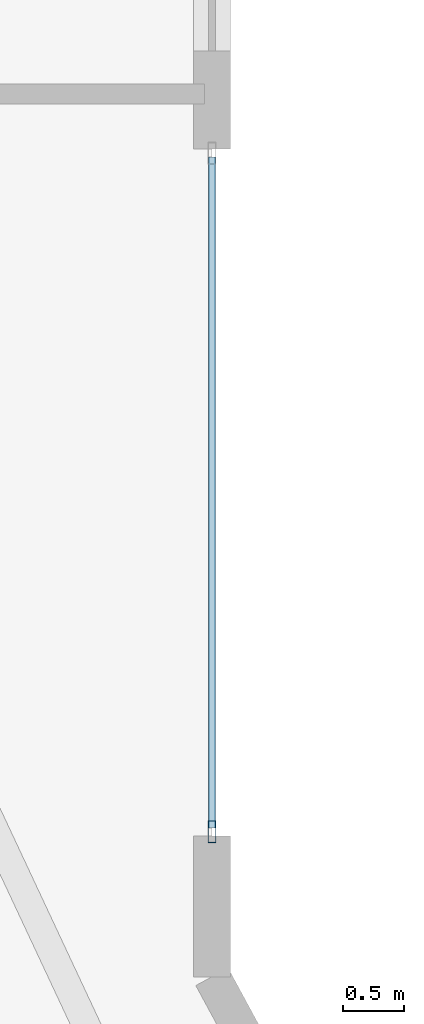
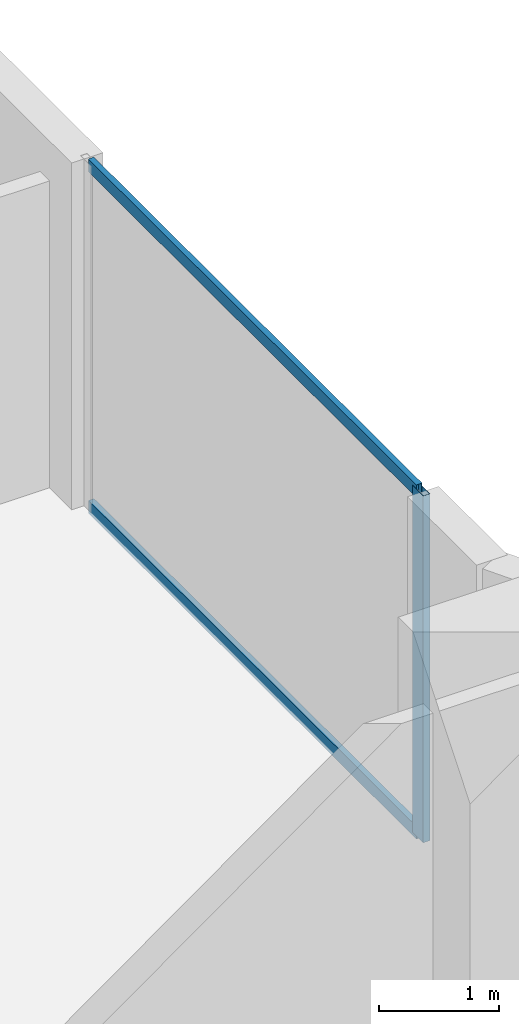
# One storey, part 14 of 32: 3 members, 1 element without a shape of its own.
"""IFC4 building model written with IfcOpenShell, lengths in metres."""

from ifc_helpers import new_model, si_unit, direction, frame, origin, origin_2d, place, context, subcontext, project, spatial, hollow_rectangle, extrude, material, layer, layer_set, material_profile, profile_set, type_object, element, aggregate, save


model = new_model("IFC4")

# Units and contexts
model_context = context("Model", 3, precision=1e-05, world=origin(), true_north=direction((0.0, 1.0)))
body_context = subcontext(model_context, "Body", "Model", "MODEL_VIEW")
ifc_project = project(units=[si_unit("LENGTHUNIT", "METRE"), si_unit("AREAUNIT", "SQUARE_METRE"), si_unit("VOLUMEUNIT", "CUBIC_METRE"), si_unit("PLANEANGLEUNIT", "RADIAN"), si_unit("MASSUNIT", "GRAM", prefix="KILO")], contexts=[model_context])

# Site, building, storey
site_placement = place(None, origin())
site = spatial("IfcSite", under=ifc_project, at=site_placement, CompositionType="ELEMENT")
building_placement = place(site_placement, origin())
building = spatial("IfcBuilding", under=site, at=building_placement, Name="Zuhayl Quay Hotel", CompositionType="ELEMENT")
storey_placement = place(building_placement, frame((0.0, 0.0, 226.14990234375)))
storey = spatial("IfcBuildingStorey", under=building, at=storey_placement, Name="L57", CompositionType="ELEMENT", Elevation=226.14990234375)

# Curtain wall, members
ifc_material_1 = material(Name="Anodised Aluminium 6063-T6", Category="aluminium")
ifc_layer = layer(ifc_material_1, 0.175048828125, Name="Anodised Aluminium 6063-T6", Category="aluminium")
ifc_layer_set = layer_set([ifc_layer], Name="Anodised Aluminium 6063-T6")
curtain_wall_type = type_object("IfcCurtainWallType", Name="CW_SYS_Z3", PredefinedType="USERDEFINED", material=ifc_layer_set)
curtain_wall_placement = place(storey_placement, origin())
curtain_wall = element("IfcCurtainWall", 1, at=curtain_wall_placement, inside=storey, type_object=curtain_wall_type, Name="L57 Curtain Wall ENV_L57_E11_CW1", ObjectType="UNITISED CURTAIN WALL", PredefinedType="USERDEFINED")
ifc_material_2 = material(Name="Black-anodised aluminium 6063-T6", Category="aluminium")
ifc_material_profile_1 = material_profile(ifc_material_2, hollow_rectangle(XDim=0.06494140625, YDim=0.179931640625, WallThickness=0.00341796875, at=origin_2d()), Name="ALU180X65")
ifc_profile_set_1 = profile_set([ifc_material_profile_1], Name="Black-anodised aluminium 6063-T6")
member_type_1 = type_object("IfcMemberType", Name="MB_CW_MUL_180", PredefinedType="MULLION", material=ifc_profile_set_1)
member_1_placement = place(storey_placement, frame((22.10009765625, 18.982421875, 0.0), z_axis=(0.0, 0.0, 1.0), x_axis=(1.0, 0.0, 0.0)))
member_1 = element("IfcMember", 2, at=member_1_placement, type_object=member_type_1, Name="CW-Z3 mullion 2", PredefinedType="MULLION", context=body_context, shape_type="SweptSolid", body=[
    extrude(hollow_rectangle(XDim=0.06494140625, YDim=0.179931640625, WallThickness=0.00341796875, at=origin_2d()), origin(), (0.0, 0.0, 1.0), 3.530029296875),
])
ifc_material_profile_2 = material_profile(ifc_material_2, hollow_rectangle(XDim=0.054931640625, YDim=0.1298828125, WallThickness=0.0029296875, at=origin_2d()), Name="ALU130X55")
ifc_profile_set_2 = profile_set([ifc_material_profile_2], Name="Black-anodised aluminium 6063-T6")
member_type_2 = type_object("IfcMemberType", Name="MB_CW_TRN_130", PredefinedType="USERDEFINED", material=ifc_profile_set_2)
member_2_placement = place(storey_placement, frame((22.10009765625, 24.485107421875, 0.027587890625), z_axis=(0.0, -1.0, 0.0), x_axis=(1.0, 0.0, 0.0)))
member_2 = element("IfcMember", 3, at=member_2_placement, type_object=member_type_2, Name="CW-Z3 transom 1.1", ObjectType="TRANSOM", PredefinedType="USERDEFINED", context=body_context, shape_type="SweptSolid", body=[
    extrude(hollow_rectangle(XDim=0.054931640625, YDim=0.1298828125, WallThickness=0.0029296875, at=origin_2d()), origin(), (0.0, 0.0, 1.0), 5.47021484375),
])
member_3_placement = place(storey_placement, frame((22.10009765625, 24.485107421875, 3.502685546875), z_axis=(0.0, -1.0, 0.0), x_axis=(1.0, 0.0, 0.0)))
member_3 = element("IfcMember", 4, at=member_3_placement, type_object=member_type_2, Name="CW-Z3 transom 1.2", ObjectType="TRANSOM", PredefinedType="USERDEFINED", context=body_context, shape_type="SweptSolid", body=[
    extrude(hollow_rectangle(XDim=0.054931640625, YDim=0.1298828125, WallThickness=0.0029296875, at=origin_2d()), origin(), (0.0, 0.0, 1.0), 5.47021484375),
])
aggregate(curtain_wall, [member_1, member_2, member_3])

save(model, "model.ifc")
